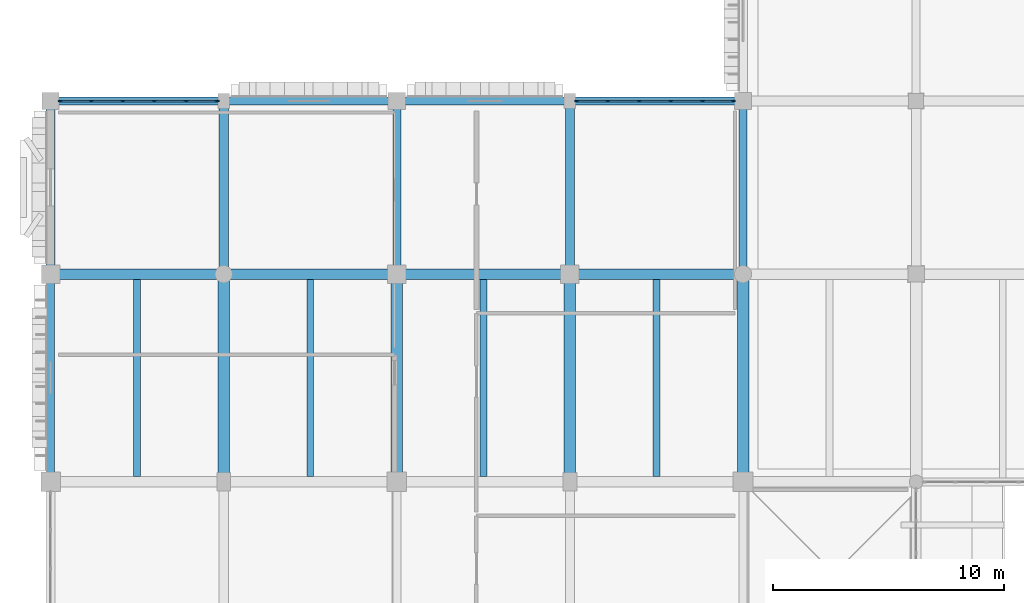
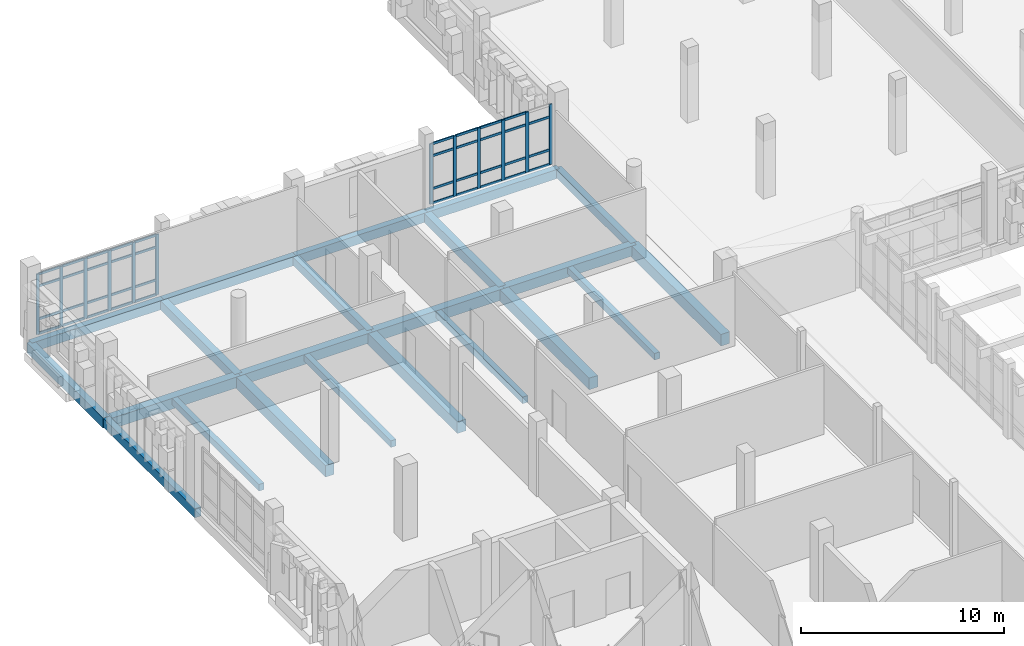
# One storey, part 44 of 128: 51 members, 22 beams, 2 elements without a shape of their own.
"""IFC4 building model written with IfcOpenShell, lengths in metres."""

from ifc_helpers import new_model, si_unit, direction, frame, origin, origin_2d, place, context, subcontext, project, spatial, rectangle, extrude, material, layer, layer_set, material_profile, profile_set, type_object, element, aggregate, save


model = new_model("IFC4")

# Units and contexts
model_context = context("Model", 3, precision=1e-05, world=origin(), true_north=direction((0.0, 1.0)))
body_context = subcontext(model_context, "Body", "Model", "MODEL_VIEW")
ifc_project = project(units=[si_unit("LENGTHUNIT", "METRE"), si_unit("AREAUNIT", "SQUARE_METRE"), si_unit("VOLUMEUNIT", "CUBIC_METRE"), si_unit("PLANEANGLEUNIT", "RADIAN"), si_unit("MASSUNIT", "GRAM", prefix="KILO")], contexts=[model_context])

# Site, building, storey
site_placement = place(None, origin())
site = spatial("IfcSite", under=ifc_project, at=site_placement, CompositionType="ELEMENT")
building_placement = place(site_placement, origin())
building = spatial("IfcBuilding", under=site, at=building_placement, Name="Dalvernix Boulevard General Hospital", CompositionType="ELEMENT")
storey_placement = place(building_placement, frame((0.0, 0.0, 4.800048828125)))
storey = spatial("IfcBuildingStorey", under=building, at=storey_placement, Name="L01", CompositionType="ELEMENT", Elevation=4.800048828125)

# Beams
ifc_material_1 = material(Name="Concrete C35/45", Category="concrete")
ifc_material_profile_1 = material_profile(ifc_material_1, rectangle(XDim=0.5, YDim=0.699951171875, at=origin_2d()), Name="RCB 500x700")
ifc_profile_set_1 = profile_set([ifc_material_profile_1], Name="Concrete C35/45")
beam_type_1 = type_object("IfcBeamType", Name="BM-B-01-I", PredefinedType="BEAM", material=ifc_profile_set_1)
for number, where, z_axis, x_axis, name in (
    (1, (7.5, 76.5, -0.650146484375), (0.0, 1.0, 0.0), (-1.0, 0.0, 0.0), "L01 N-S girder 2:L-M"),
    (2, (15.0, 76.5, -0.650146484375), (0.0, 1.0, 0.0), (-1.0, 0.0, 0.0), "L01 N-S girder 3:L-M"),
    (3, (22.5, 76.5, -0.650146484375), (0.0, 1.0, 0.0), (-1.0, 0.0, 0.0), "L01 N-S girder 4:L-M"),
    (4, (30.0, 76.5, -0.650146484375), (0.0, 1.0, 0.0), (-1.0, 0.0, 0.0), "L01 N-S girder 5:L-M"),
):
    element("IfcBeam", number, at=place(storey_placement, frame(where, z_axis=z_axis, x_axis=x_axis)), inside=storey, type_object=beam_type_1, Name=name, PredefinedType="BEAM", context=body_context, shape_type="SweptSolid", body=[
        extrude(rectangle(XDim=0.5, YDim=0.699951171875, at=origin_2d()), origin(), (0.0, 0.0, 1.0), 9.0),
    ])
ifc_material_profile_2 = material_profile(ifc_material_1, rectangle(XDim=0.449951171875, YDim=0.64990234375, at=origin_2d()), Name="RCB 450x650")
ifc_profile_set_2 = profile_set([ifc_material_profile_2], Name="Concrete C35/45")
beam_type_2 = type_object("IfcBeamType", Name="BM-B-03-I", PredefinedType="BEAM", material=ifc_profile_set_2)
for number, where, z_axis, x_axis, name in (
    (5, (0.0, 85.5, -0.625), (1.0, 0.0, 0.0), (0.0, 1.0, 0.0), "L01 E-W girder M:1-2"),
    (6, (15.0, 85.5, -0.625), (1.0, 0.0, 0.0), (0.0, 1.0, 0.0), "L01 E-W girder M:3-4"),
):
    element("IfcBeam", number, at=place(storey_placement, frame(where, z_axis=z_axis, x_axis=x_axis)), inside=storey, type_object=beam_type_2, Name=name, PredefinedType="BEAM", context=body_context, shape_type="SweptSolid", body=[
        extrude(rectangle(XDim=0.449951171875, YDim=0.64990234375, at=origin_2d()), origin(), (0.0, 0.0, 1.0), 7.5),
    ])
ifc_material_profile_3 = material_profile(ifc_material_1, rectangle(XDim=0.449951171875, YDim=0.60009765625, at=origin_2d()), Name="RCB 450x600")
ifc_profile_set_3 = profile_set([ifc_material_profile_3], Name="Concrete C35/45")
beam_type_3 = type_object("IfcBeamType", Name="BM-B-04-I", PredefinedType="BEAM", material=ifc_profile_set_3)
for number, where, z_axis, x_axis, name in (
    (7, (7.5, 85.5, -0.60009765625), (1.0, 0.0, 0.0), (0.0, 1.0, 0.0), "L01 E-W girder M:2-3"),
    (8, (22.5, 85.5, -0.60009765625), (1.0, 0.0, 0.0), (0.0, 1.0, 0.0), "L01 E-W girder M:4-5"),
):
    element("IfcBeam", number, at=place(storey_placement, frame(where, z_axis=z_axis, x_axis=x_axis)), inside=storey, type_object=beam_type_3, Name=name, PredefinedType="BEAM", context=body_context, shape_type="SweptSolid", body=[
        extrude(rectangle(XDim=0.449951171875, YDim=0.60009765625, at=origin_2d()), origin(), (0.0, 0.0, 1.0), 7.5),
    ])
ifc_material_profile_4 = material_profile(ifc_material_1, rectangle(XDim=0.39990234375, YDim=0.550048828125, at=origin_2d()), Name="RCB 400x550")
ifc_profile_set_4 = profile_set([ifc_material_profile_4], Name="Concrete C35/45")
beam_type_4 = type_object("IfcBeamType", Name="BM-B-06-I", PredefinedType="BEAM", material=ifc_profile_set_4)
for number, where, z_axis, x_axis, name in (
    (9, (7.5, 85.5, -0.574951171875), (0.0, 1.0, 0.0), (-1.0, 0.0, 0.0), "L01 N-S girder 2:M-N"),
    (10, (22.5, 85.5, -0.574951171875), (0.0, 1.0, 0.0), (-1.0, 0.0, 0.0), "L01 N-S girder 4:M-N"),
):
    element("IfcBeam", number, at=place(storey_placement, frame(where, z_axis=z_axis, x_axis=x_axis)), inside=storey, type_object=beam_type_4, Name=name, PredefinedType="BEAM", context=body_context, shape_type="SweptSolid", body=[
        extrude(rectangle(XDim=0.39990234375, YDim=0.550048828125, at=origin_2d()), origin(), (0.0, 0.0, 1.0), 7.5),
    ])
ifc_material_profile_5 = material_profile(ifc_material_1, rectangle(XDim=0.35009765625, YDim=0.5, at=origin_2d()), Name="RCB 350x500")
ifc_profile_set_5 = profile_set([ifc_material_profile_5], Name="Concrete C35/45")
beam_type_5 = type_object("IfcBeamType", Name="BM-B-08-I", PredefinedType="BEAM", material=ifc_profile_set_5)
for number, where, z_axis, x_axis, name in (
    (11, (15.0, 85.5, -0.550048828125), (0.0, 1.0, 0.0), (-1.0, 0.0, 0.0), "L01 N-S girder 3:M-N"),
    (12, (30.0, 85.5, -0.550048828125), (0.0, 1.0, 0.0), (-1.0, 0.0, 0.0), "L01 N-S girder 5:M-N"),
):
    element("IfcBeam", number, at=place(storey_placement, frame(where, z_axis=z_axis, x_axis=x_axis)), inside=storey, type_object=beam_type_5, Name=name, PredefinedType="BEAM", context=body_context, shape_type="SweptSolid", body=[
        extrude(rectangle(XDim=0.35009765625, YDim=0.5, at=origin_2d()), origin(), (0.0, 0.0, 1.0), 7.5),
    ])
ifc_material_profile_6 = material_profile(ifc_material_1, rectangle(XDim=0.300048828125, YDim=0.39990234375, at=origin_2d()), Name="RCB 300x400")
ifc_profile_set_6 = profile_set([ifc_material_profile_6], Name="Concrete C35/45")
beam_type_6 = type_object("IfcBeamType", Name="BM-JB-01", PredefinedType="JOIST", material=ifc_profile_set_6)
for number, where, z_axis, x_axis, name in (
    (13, (3.75, 76.72509765625, -0.5), (0.0, 1.0, 0.0), (-1.0, 0.0, 0.0), "L01 secondary floor beam 1-L"),
    (14, (11.25, 76.72509765625, -0.5), (0.0, 1.0, 0.0), (-1.0, 0.0, 0.0), "L01 secondary floor beam 2-L"),
    (15, (18.75, 76.72509765625, -0.5), (0.0, 1.0, 0.0), (-1.0, 0.0, 0.0), "L01 secondary floor beam 3-L"),
    (16, (26.25, 76.72509765625, -0.5), (0.0, 1.0, 0.0), (-1.0, 0.0, 0.0), "L01 secondary floor beam 4-L"),
):
    element("IfcBeam", number, at=place(storey_placement, frame(where, z_axis=z_axis, x_axis=x_axis)), inside=storey, type_object=beam_type_6, Name=name, PredefinedType="JOIST", context=body_context, shape_type="SweptSolid", body=[
        extrude(rectangle(XDim=0.300048828125, YDim=0.39990234375, at=origin_2d()), origin(), (0.0, 0.0, 1.0), 8.5498046875),
    ])
ifc_material_profile_7 = material_profile(ifc_material_1, rectangle(XDim=0.35009765625, YDim=0.550048828125, at=origin_2d()), Name="RCB 350x550")
ifc_profile_set_7 = profile_set([ifc_material_profile_7], Name="Concrete C35/45")
beam_type_7 = type_object("IfcBeamType", Name="BM-SB-01-E", PredefinedType="SPANDREL", material=ifc_profile_set_7)
for number, where, z_axis, x_axis, name in (
    (17, (0.0, 93.0, -0.574951171875), (1.0, 0.0, 0.0), (0.0, 1.0, 0.0), "L01 E-W girder N:1-2"),
    (18, (7.5, 93.0, -0.574951171875), (1.0, 0.0, 0.0), (0.0, 1.0, 0.0), "L01 E-W girder N:2-3"),
    (19, (15.0, 93.0, -0.574951171875), (1.0, 0.0, 0.0), (0.0, 1.0, 0.0), "L01 E-W girder N:3-4"),
    (20, (22.5, 93.0, -0.574951171875), (1.0, 0.0, 0.0), (0.0, 1.0, 0.0), "L01 E-W girder N:4-5"),
):
    element("IfcBeam", number, at=place(storey_placement, frame(where, z_axis=z_axis, x_axis=x_axis)), inside=storey, type_object=beam_type_7, Name=name, PredefinedType="SPANDREL", context=body_context, shape_type="SweptSolid", body=[
        extrude(rectangle(XDim=0.35009765625, YDim=0.550048828125, at=origin_2d()), origin(), (0.0, 0.0, 1.0), 7.5),
    ])
beam_1_placement = place(storey_placement, frame((0.0, 76.5, -0.574951171875), z_axis=(0.0, 1.0, 0.0), x_axis=(-1.0, 0.0, 0.0)))
element("IfcBeam", 21, at=beam_1_placement, inside=storey, type_object=beam_type_7, Name="L01 N-S girder 1:L-M", PredefinedType="SPANDREL", context=body_context, shape_type="SweptSolid", body=[
    extrude(rectangle(XDim=0.35009765625, YDim=0.550048828125, at=origin_2d()), origin(), (0.0, 0.0, 1.0), 9.0),
])
ifc_material_profile_8 = material_profile(ifc_material_1, rectangle(XDim=0.39990234375, YDim=0.60009765625, at=origin_2d()), Name="RCB 400x600")
ifc_profile_set_8 = profile_set([ifc_material_profile_8], Name="Concrete C35/45")
beam_type_8 = type_object("IfcBeamType", Name="BM-SB-02-E", PredefinedType="SPANDREL", material=ifc_profile_set_8)
beam_2_placement = place(storey_placement, frame((0.0, 85.5, -0.60009765625), z_axis=(0.0, 1.0, 0.0), x_axis=(-1.0, 0.0, 0.0)))
element("IfcBeam", 22, at=beam_2_placement, inside=storey, type_object=beam_type_8, Name="L01 N-S girder 1:M-N", PredefinedType="SPANDREL", context=body_context, shape_type="SweptSolid", body=[
    extrude(rectangle(XDim=0.39990234375, YDim=0.60009765625, at=origin_2d()), origin(), (0.0, 0.0, 1.0), 7.5),
])

# Curtain wall, members
ifc_material_2 = material(Name="Thermally broken aluminium and solar-control glass curtain wall", Category="aluminium")
ifc_layer = layer(ifc_material_2, 0.179931640625)
ifc_layer_set = layer_set([ifc_layer], Name="Thermally broken aluminium and solar-control glass curtain wall (CW-CW-B-69x36)")
curtain_wall_type = type_object("IfcCurtainWallType", Name="CW-CW-B-69x36", PredefinedType="USERDEFINED", material=ifc_layer_set)
curtain_wall_1_placement = place(storey_placement, origin())
curtain_wall_1 = element("IfcCurtainWall", 23, at=curtain_wall_1_placement, inside=storey, type_object=curtain_wall_type, Name="L01 curtain wall CW-B-69x36 0-12", ObjectType="GLAZED FACADE", PredefinedType="USERDEFINED")
ifc_material_3 = material(Name="Aluminium EN AW-6060", Category="aluminium")
ifc_material_profile_9 = material_profile(ifc_material_3, rectangle(XDim=0.06494140625, YDim=0.179931640625, at=origin_2d()), Name="ALU MULL 65x180")
ifc_profile_set_9 = profile_set([ifc_material_profile_9], Name="Aluminium EN AW-6060")
member_type_1 = type_object("IfcMemberType", Name="MEM-CW-M2", PredefinedType="MULLION", material=ifc_profile_set_9)
member_1_placement = place(storey_placement, frame((0.41748046875, 93.0, 0.0), z_axis=(0.0, 0.0, 1.0), x_axis=(0.0, 1.0, 0.0)))
member_1 = element("IfcMember", 24, at=member_1_placement, type_object=member_type_1, Name="CW-B-69x36 mullion 1", PredefinedType="MULLION", context=body_context, shape_type="SweptSolid", body=[
    extrude(rectangle(XDim=0.06494140625, YDim=0.179931640625, at=origin_2d()), origin(), (0.0, 0.0, 1.0), 3.6298828125),
])
member_2_placement = place(storey_placement, frame((1.756103515625, 93.0, 0.0), z_axis=(0.0, 0.0, 1.0), x_axis=(0.0, 1.0, 0.0)))
member_2 = element("IfcMember", 25, at=member_2_placement, type_object=member_type_1, Name="CW-B-69x36 mullion 2", PredefinedType="MULLION", context=body_context, shape_type="SweptSolid", body=[
    extrude(rectangle(XDim=0.06494140625, YDim=0.179931640625, at=origin_2d()), origin(), (0.0, 0.0, 1.0), 3.6298828125),
])
member_3_placement = place(storey_placement, frame((3.126953125, 93.0, 0.0), z_axis=(0.0, 0.0, 1.0), x_axis=(0.0, 1.0, 0.0)))
member_3 = element("IfcMember", 26, at=member_3_placement, type_object=member_type_1, Name="CW-B-69x36 mullion 3", PredefinedType="MULLION", context=body_context, shape_type="SweptSolid", body=[
    extrude(rectangle(XDim=0.06494140625, YDim=0.179931640625, at=origin_2d()), origin(), (0.0, 0.0, 1.0), 3.6298828125),
])
member_4_placement = place(storey_placement, frame((4.498046875, 93.0, 0.0), z_axis=(0.0, 0.0, 1.0), x_axis=(0.0, 1.0, 0.0)))
member_4 = element("IfcMember", 27, at=member_4_placement, type_object=member_type_1, Name="CW-B-69x36 mullion 4", PredefinedType="MULLION", context=body_context, shape_type="SweptSolid", body=[
    extrude(rectangle(XDim=0.06494140625, YDim=0.179931640625, at=origin_2d()), origin(), (0.0, 0.0, 1.0), 3.6298828125),
])
member_5_placement = place(storey_placement, frame((5.868896484375, 93.0, 0.0), z_axis=(0.0, 0.0, 1.0), x_axis=(0.0, 1.0, 0.0)))
member_5 = element("IfcMember", 28, at=member_5_placement, type_object=member_type_1, Name="CW-B-69x36 mullion 5", PredefinedType="MULLION", context=body_context, shape_type="SweptSolid", body=[
    extrude(rectangle(XDim=0.06494140625, YDim=0.179931640625, at=origin_2d()), origin(), (0.0, 0.0, 1.0), 3.6298828125),
])
member_6_placement = place(storey_placement, frame((7.20751953125, 93.0, 0.0), z_axis=(0.0, 0.0, 1.0), x_axis=(0.0, 1.0, 0.0)))
member_6 = element("IfcMember", 29, at=member_6_placement, type_object=member_type_1, Name="CW-B-69x36 mullion 6", PredefinedType="MULLION", context=body_context, shape_type="SweptSolid", body=[
    extrude(rectangle(XDim=0.06494140625, YDim=0.179931640625, at=origin_2d()), origin(), (0.0, 0.0, 1.0), 3.6298828125),
])

curtain_wall_2_placement = place(storey_placement, origin())
curtain_wall_2 = element("IfcCurtainWall", 30, at=curtain_wall_2_placement, inside=storey, type_object=curtain_wall_type, Name="L01 curtain wall CW-B-69x36 3-12", ObjectType="GLAZED FACADE", PredefinedType="USERDEFINED")
member_7_placement = place(storey_placement, frame((22.79248046875, 93.0, 0.0), z_axis=(0.0, 0.0, 1.0), x_axis=(0.0, 1.0, 0.0)))
member_7 = element("IfcMember", 31, at=member_7_placement, type_object=member_type_1, Name="CW-B-69x36 mullion 1", PredefinedType="MULLION", context=body_context, shape_type="SweptSolid", body=[
    extrude(rectangle(XDim=0.06494140625, YDim=0.179931640625, at=origin_2d()), origin(), (0.0, 0.0, 1.0), 3.6298828125),
])
member_8_placement = place(storey_placement, frame((24.131103515625, 93.0, 0.0), z_axis=(0.0, 0.0, 1.0), x_axis=(0.0, 1.0, 0.0)))
member_8 = element("IfcMember", 32, at=member_8_placement, type_object=member_type_1, Name="CW-B-69x36 mullion 2", PredefinedType="MULLION", context=body_context, shape_type="SweptSolid", body=[
    extrude(rectangle(XDim=0.06494140625, YDim=0.179931640625, at=origin_2d()), origin(), (0.0, 0.0, 1.0), 3.6298828125),
])
member_9_placement = place(storey_placement, frame((25.501953125, 93.0, 0.0), z_axis=(0.0, 0.0, 1.0), x_axis=(0.0, 1.0, 0.0)))
member_9 = element("IfcMember", 33, at=member_9_placement, type_object=member_type_1, Name="CW-B-69x36 mullion 3", PredefinedType="MULLION", context=body_context, shape_type="SweptSolid", body=[
    extrude(rectangle(XDim=0.06494140625, YDim=0.179931640625, at=origin_2d()), origin(), (0.0, 0.0, 1.0), 3.6298828125),
])
member_10_placement = place(storey_placement, frame((26.873046875, 93.0, 0.0), z_axis=(0.0, 0.0, 1.0), x_axis=(0.0, 1.0, 0.0)))
member_10 = element("IfcMember", 34, at=member_10_placement, type_object=member_type_1, Name="CW-B-69x36 mullion 4", PredefinedType="MULLION", context=body_context, shape_type="SweptSolid", body=[
    extrude(rectangle(XDim=0.06494140625, YDim=0.179931640625, at=origin_2d()), origin(), (0.0, 0.0, 1.0), 3.6298828125),
])
member_11_placement = place(storey_placement, frame((28.243896484375, 93.0, 0.0), z_axis=(0.0, 0.0, 1.0), x_axis=(0.0, 1.0, 0.0)))
member_11 = element("IfcMember", 35, at=member_11_placement, type_object=member_type_1, Name="CW-B-69x36 mullion 5", PredefinedType="MULLION", context=body_context, shape_type="SweptSolid", body=[
    extrude(rectangle(XDim=0.06494140625, YDim=0.179931640625, at=origin_2d()), origin(), (0.0, 0.0, 1.0), 3.6298828125),
])
member_12_placement = place(storey_placement, frame((29.58251953125, 93.0, 0.0), z_axis=(0.0, 0.0, 1.0), x_axis=(0.0, 1.0, 0.0)))
member_12 = element("IfcMember", 36, at=member_12_placement, type_object=member_type_1, Name="CW-B-69x36 mullion 6", PredefinedType="MULLION", context=body_context, shape_type="SweptSolid", body=[
    extrude(rectangle(XDim=0.06494140625, YDim=0.179931640625, at=origin_2d()), origin(), (0.0, 0.0, 1.0), 3.6298828125),
])

# Member
ifc_material_profile_10 = material_profile(ifc_material_3, rectangle(XDim=0.06494140625, YDim=0.139892578125, at=origin_2d()), Name="ALU TRAN 65x140")
ifc_profile_set_10 = profile_set([ifc_material_profile_10], Name="Aluminium EN AW-6060")
member_type_2 = type_object("IfcMemberType", Name="MEM-CW-T2", PredefinedType="USERDEFINED", material=ifc_profile_set_10)
member_13_placement = place(storey_placement, frame((0.449951171875, 93.0, 0.032470703125), z_axis=(1.0, 0.0, 0.0), x_axis=(0.0, 1.0, 0.0)))
member_13 = element("IfcMember", 37, at=member_13_placement, type_object=member_type_2, Name="CW-B-69x36 transom 1.1", ObjectType="TRANSOM", PredefinedType="USERDEFINED", context=body_context, shape_type="SweptSolid", body=[
    extrude(rectangle(XDim=0.06494140625, YDim=0.139892578125, at=origin_2d()), origin(), (0.0, 0.0, 1.0), 1.2734375),
])

member_14_placement = place(storey_placement, frame((0.449951171875, 93.0, 0.89990234375), z_axis=(1.0, 0.0, 0.0), x_axis=(0.0, 1.0, 0.0)))
member_14 = element("IfcMember", 38, at=member_14_placement, type_object=member_type_2, Name="CW-B-69x36 transom 1.2", ObjectType="TRANSOM", PredefinedType="USERDEFINED", context=body_context, shape_type="SweptSolid", body=[
    extrude(rectangle(XDim=0.06494140625, YDim=0.139892578125, at=origin_2d()), origin(), (0.0, 0.0, 1.0), 1.2734375),
])

member_15_placement = place(storey_placement, frame((0.449951171875, 93.0, 2.8798828125), z_axis=(1.0, 0.0, 0.0), x_axis=(0.0, 1.0, 0.0)))
member_15 = element("IfcMember", 39, at=member_15_placement, type_object=member_type_2, Name="CW-B-69x36 transom 1.3", ObjectType="TRANSOM", PredefinedType="USERDEFINED", context=body_context, shape_type="SweptSolid", body=[
    extrude(rectangle(XDim=0.06494140625, YDim=0.139892578125, at=origin_2d()), origin(), (0.0, 0.0, 1.0), 1.2734375),
])

member_16_placement = place(storey_placement, frame((0.449951171875, 93.0, 3.597412109375), z_axis=(1.0, 0.0, 0.0), x_axis=(0.0, 1.0, 0.0)))
member_16 = element("IfcMember", 40, at=member_16_placement, type_object=member_type_2, Name="CW-B-69x36 transom 1.4", ObjectType="TRANSOM", PredefinedType="USERDEFINED", context=body_context, shape_type="SweptSolid", body=[
    extrude(rectangle(XDim=0.06494140625, YDim=0.139892578125, at=origin_2d()), origin(), (0.0, 0.0, 1.0), 1.2734375),
])

member_17_placement = place(storey_placement, frame((1.78857421875, 93.0, 0.032470703125), z_axis=(1.0, 0.0, 0.0), x_axis=(0.0, 1.0, 0.0)))
member_17 = element("IfcMember", 41, at=member_17_placement, type_object=member_type_2, Name="CW-B-69x36 transom 2.1", ObjectType="TRANSOM", PredefinedType="USERDEFINED", context=body_context, shape_type="SweptSolid", body=[
    extrude(rectangle(XDim=0.06494140625, YDim=0.139892578125, at=origin_2d()), origin(), (0.0, 0.0, 1.0), 1.305908203125),
])

member_18_placement = place(storey_placement, frame((1.78857421875, 93.0, 0.89990234375), z_axis=(1.0, 0.0, 0.0), x_axis=(0.0, 1.0, 0.0)))
member_18 = element("IfcMember", 42, at=member_18_placement, type_object=member_type_2, Name="CW-B-69x36 transom 2.2", ObjectType="TRANSOM", PredefinedType="USERDEFINED", context=body_context, shape_type="SweptSolid", body=[
    extrude(rectangle(XDim=0.06494140625, YDim=0.139892578125, at=origin_2d()), origin(), (0.0, 0.0, 1.0), 1.305908203125),
])

member_19_placement = place(storey_placement, frame((1.78857421875, 93.0, 2.8798828125), z_axis=(1.0, 0.0, 0.0), x_axis=(0.0, 1.0, 0.0)))
member_19 = element("IfcMember", 43, at=member_19_placement, type_object=member_type_2, Name="CW-B-69x36 transom 2.3", ObjectType="TRANSOM", PredefinedType="USERDEFINED", context=body_context, shape_type="SweptSolid", body=[
    extrude(rectangle(XDim=0.06494140625, YDim=0.139892578125, at=origin_2d()), origin(), (0.0, 0.0, 1.0), 1.305908203125),
])

member_20_placement = place(storey_placement, frame((1.78857421875, 93.0, 3.597412109375), z_axis=(1.0, 0.0, 0.0), x_axis=(0.0, 1.0, 0.0)))
member_20 = element("IfcMember", 44, at=member_20_placement, type_object=member_type_2, Name="CW-B-69x36 transom 2.4", ObjectType="TRANSOM", PredefinedType="USERDEFINED", context=body_context, shape_type="SweptSolid", body=[
    extrude(rectangle(XDim=0.06494140625, YDim=0.139892578125, at=origin_2d()), origin(), (0.0, 0.0, 1.0), 1.305908203125),
])

member_21_placement = place(storey_placement, frame((3.159423828125, 93.0, 0.032470703125), z_axis=(1.0, 0.0, 0.0), x_axis=(0.0, 1.0, 0.0)))
member_21 = element("IfcMember", 45, at=member_21_placement, type_object=member_type_2, Name="CW-B-69x36 transom 3.1", ObjectType="TRANSOM", PredefinedType="USERDEFINED", context=body_context, shape_type="SweptSolid", body=[
    extrude(rectangle(XDim=0.06494140625, YDim=0.139892578125, at=origin_2d()), origin(), (0.0, 0.0, 1.0), 1.30615234375),
])

member_22_placement = place(storey_placement, frame((3.159423828125, 93.0, 0.89990234375), z_axis=(1.0, 0.0, 0.0), x_axis=(0.0, 1.0, 0.0)))
member_22 = element("IfcMember", 46, at=member_22_placement, type_object=member_type_2, Name="CW-B-69x36 transom 3.2", ObjectType="TRANSOM", PredefinedType="USERDEFINED", context=body_context, shape_type="SweptSolid", body=[
    extrude(rectangle(XDim=0.06494140625, YDim=0.139892578125, at=origin_2d()), origin(), (0.0, 0.0, 1.0), 1.30615234375),
])

member_23_placement = place(storey_placement, frame((3.159423828125, 93.0, 2.8798828125), z_axis=(1.0, 0.0, 0.0), x_axis=(0.0, 1.0, 0.0)))
member_23 = element("IfcMember", 47, at=member_23_placement, type_object=member_type_2, Name="CW-B-69x36 transom 3.3", ObjectType="TRANSOM", PredefinedType="USERDEFINED", context=body_context, shape_type="SweptSolid", body=[
    extrude(rectangle(XDim=0.06494140625, YDim=0.139892578125, at=origin_2d()), origin(), (0.0, 0.0, 1.0), 1.30615234375),
])

member_24_placement = place(storey_placement, frame((3.159423828125, 93.0, 3.597412109375), z_axis=(1.0, 0.0, 0.0), x_axis=(0.0, 1.0, 0.0)))
member_24 = element("IfcMember", 48, at=member_24_placement, type_object=member_type_2, Name="CW-B-69x36 transom 3.4", ObjectType="TRANSOM", PredefinedType="USERDEFINED", context=body_context, shape_type="SweptSolid", body=[
    extrude(rectangle(XDim=0.06494140625, YDim=0.139892578125, at=origin_2d()), origin(), (0.0, 0.0, 1.0), 1.30615234375),
])

member_25_placement = place(storey_placement, frame((4.530517578125, 93.0, 0.032470703125), z_axis=(1.0, 0.0, 0.0), x_axis=(0.0, 1.0, 0.0)))
member_25 = element("IfcMember", 49, at=member_25_placement, type_object=member_type_2, Name="CW-B-69x36 transom 4.1", ObjectType="TRANSOM", PredefinedType="USERDEFINED", context=body_context, shape_type="SweptSolid", body=[
    extrude(rectangle(XDim=0.06494140625, YDim=0.139892578125, at=origin_2d()), origin(), (0.0, 0.0, 1.0), 1.305908203125),
])

member_26_placement = place(storey_placement, frame((4.530517578125, 93.0, 0.89990234375), z_axis=(1.0, 0.0, 0.0), x_axis=(0.0, 1.0, 0.0)))
member_26 = element("IfcMember", 50, at=member_26_placement, type_object=member_type_2, Name="CW-B-69x36 transom 4.2", ObjectType="TRANSOM", PredefinedType="USERDEFINED", context=body_context, shape_type="SweptSolid", body=[
    extrude(rectangle(XDim=0.06494140625, YDim=0.139892578125, at=origin_2d()), origin(), (0.0, 0.0, 1.0), 1.305908203125),
])

member_27_placement = place(storey_placement, frame((4.530517578125, 93.0, 2.8798828125), z_axis=(1.0, 0.0, 0.0), x_axis=(0.0, 1.0, 0.0)))
member_27 = element("IfcMember", 51, at=member_27_placement, type_object=member_type_2, Name="CW-B-69x36 transom 4.3", ObjectType="TRANSOM", PredefinedType="USERDEFINED", context=body_context, shape_type="SweptSolid", body=[
    extrude(rectangle(XDim=0.06494140625, YDim=0.139892578125, at=origin_2d()), origin(), (0.0, 0.0, 1.0), 1.305908203125),
])

member_28_placement = place(storey_placement, frame((4.530517578125, 93.0, 3.597412109375), z_axis=(1.0, 0.0, 0.0), x_axis=(0.0, 1.0, 0.0)))
member_28 = element("IfcMember", 52, at=member_28_placement, type_object=member_type_2, Name="CW-B-69x36 transom 4.4", ObjectType="TRANSOM", PredefinedType="USERDEFINED", context=body_context, shape_type="SweptSolid", body=[
    extrude(rectangle(XDim=0.06494140625, YDim=0.139892578125, at=origin_2d()), origin(), (0.0, 0.0, 1.0), 1.305908203125),
])

member_29_placement = place(storey_placement, frame((5.901611328125, 93.0, 0.032470703125), z_axis=(1.0, 0.0, 0.0), x_axis=(0.0, 1.0, 0.0)))
member_29 = element("IfcMember", 53, at=member_29_placement, type_object=member_type_2, Name="CW-B-69x36 transom 5.1", ObjectType="TRANSOM", PredefinedType="USERDEFINED", context=body_context, shape_type="SweptSolid", body=[
    extrude(rectangle(XDim=0.06494140625, YDim=0.139892578125, at=origin_2d()), origin(), (0.0, 0.0, 1.0), 1.2734375),
])

member_30_placement = place(storey_placement, frame((5.901611328125, 93.0, 0.89990234375), z_axis=(1.0, 0.0, 0.0), x_axis=(0.0, 1.0, 0.0)))
member_30 = element("IfcMember", 54, at=member_30_placement, type_object=member_type_2, Name="CW-B-69x36 transom 5.2", ObjectType="TRANSOM", PredefinedType="USERDEFINED", context=body_context, shape_type="SweptSolid", body=[
    extrude(rectangle(XDim=0.06494140625, YDim=0.139892578125, at=origin_2d()), origin(), (0.0, 0.0, 1.0), 1.2734375),
])

member_31_placement = place(storey_placement, frame((5.901611328125, 93.0, 2.8798828125), z_axis=(1.0, 0.0, 0.0), x_axis=(0.0, 1.0, 0.0)))
member_31 = element("IfcMember", 55, at=member_31_placement, type_object=member_type_2, Name="CW-B-69x36 transom 5.3", ObjectType="TRANSOM", PredefinedType="USERDEFINED", context=body_context, shape_type="SweptSolid", body=[
    extrude(rectangle(XDim=0.06494140625, YDim=0.139892578125, at=origin_2d()), origin(), (0.0, 0.0, 1.0), 1.2734375),
])

member_32_placement = place(storey_placement, frame((5.901611328125, 93.0, 3.597412109375), z_axis=(1.0, 0.0, 0.0), x_axis=(0.0, 1.0, 0.0)))
member_32 = element("IfcMember", 56, at=member_32_placement, type_object=member_type_2, Name="CW-B-69x36 transom 5.4", ObjectType="TRANSOM", PredefinedType="USERDEFINED", context=body_context, shape_type="SweptSolid", body=[
    extrude(rectangle(XDim=0.06494140625, YDim=0.139892578125, at=origin_2d()), origin(), (0.0, 0.0, 1.0), 1.2734375),
])

aggregate(curtain_wall_1, [member_1, member_2, member_3, member_4, member_5, member_6, member_13, member_14, member_15, member_16, member_17, member_18, member_19, member_20, member_21, member_22, member_23, member_24, member_25, member_26, member_27, member_28, member_29, member_30, member_31, member_32])

member_33_placement = place(storey_placement, frame((22.824951171875, 93.0, 0.032470703125), z_axis=(1.0, 0.0, 0.0), x_axis=(0.0, 1.0, 0.0)))
member_33 = element("IfcMember", 57, at=member_33_placement, type_object=member_type_2, Name="CW-B-69x36 transom 1.1", ObjectType="TRANSOM", PredefinedType="USERDEFINED", context=body_context, shape_type="SweptSolid", body=[
    extrude(rectangle(XDim=0.06494140625, YDim=0.139892578125, at=origin_2d()), origin(), (0.0, 0.0, 1.0), 1.2734375),
])

member_34_placement = place(storey_placement, frame((22.824951171875, 93.0, 0.89990234375), z_axis=(1.0, 0.0, 0.0), x_axis=(0.0, 1.0, 0.0)))
member_34 = element("IfcMember", 58, at=member_34_placement, type_object=member_type_2, Name="CW-B-69x36 transom 1.2", ObjectType="TRANSOM", PredefinedType="USERDEFINED", context=body_context, shape_type="SweptSolid", body=[
    extrude(rectangle(XDim=0.06494140625, YDim=0.139892578125, at=origin_2d()), origin(), (0.0, 0.0, 1.0), 1.2734375),
])

member_35_placement = place(storey_placement, frame((22.824951171875, 93.0, 2.8798828125), z_axis=(1.0, 0.0, 0.0), x_axis=(0.0, 1.0, 0.0)))
member_35 = element("IfcMember", 59, at=member_35_placement, type_object=member_type_2, Name="CW-B-69x36 transom 1.3", ObjectType="TRANSOM", PredefinedType="USERDEFINED", context=body_context, shape_type="SweptSolid", body=[
    extrude(rectangle(XDim=0.06494140625, YDim=0.139892578125, at=origin_2d()), origin(), (0.0, 0.0, 1.0), 1.2734375),
])

member_36_placement = place(storey_placement, frame((22.824951171875, 93.0, 3.597412109375), z_axis=(1.0, 0.0, 0.0), x_axis=(0.0, 1.0, 0.0)))
member_36 = element("IfcMember", 60, at=member_36_placement, type_object=member_type_2, Name="CW-B-69x36 transom 1.4", ObjectType="TRANSOM", PredefinedType="USERDEFINED", context=body_context, shape_type="SweptSolid", body=[
    extrude(rectangle(XDim=0.06494140625, YDim=0.139892578125, at=origin_2d()), origin(), (0.0, 0.0, 1.0), 1.2734375),
])

member_37_placement = place(storey_placement, frame((24.16357421875, 93.0, 0.032470703125), z_axis=(1.0, 0.0, 0.0), x_axis=(0.0, 1.0, 0.0)))
member_37 = element("IfcMember", 61, at=member_37_placement, type_object=member_type_2, Name="CW-B-69x36 transom 2.1", ObjectType="TRANSOM", PredefinedType="USERDEFINED", context=body_context, shape_type="SweptSolid", body=[
    extrude(rectangle(XDim=0.06494140625, YDim=0.139892578125, at=origin_2d()), origin(), (0.0, 0.0, 1.0), 1.305908203125),
])

member_38_placement = place(storey_placement, frame((24.16357421875, 93.0, 0.89990234375), z_axis=(1.0, 0.0, 0.0), x_axis=(0.0, 1.0, 0.0)))
member_38 = element("IfcMember", 62, at=member_38_placement, type_object=member_type_2, Name="CW-B-69x36 transom 2.2", ObjectType="TRANSOM", PredefinedType="USERDEFINED", context=body_context, shape_type="SweptSolid", body=[
    extrude(rectangle(XDim=0.06494140625, YDim=0.139892578125, at=origin_2d()), origin(), (0.0, 0.0, 1.0), 1.305908203125),
])

member_39_placement = place(storey_placement, frame((24.16357421875, 93.0, 2.8798828125), z_axis=(1.0, 0.0, 0.0), x_axis=(0.0, 1.0, 0.0)))
member_39 = element("IfcMember", 63, at=member_39_placement, type_object=member_type_2, Name="CW-B-69x36 transom 2.3", ObjectType="TRANSOM", PredefinedType="USERDEFINED", context=body_context, shape_type="SweptSolid", body=[
    extrude(rectangle(XDim=0.06494140625, YDim=0.139892578125, at=origin_2d()), origin(), (0.0, 0.0, 1.0), 1.305908203125),
])

member_40_placement = place(storey_placement, frame((24.16357421875, 93.0, 3.597412109375), z_axis=(1.0, 0.0, 0.0), x_axis=(0.0, 1.0, 0.0)))
member_40 = element("IfcMember", 64, at=member_40_placement, type_object=member_type_2, Name="CW-B-69x36 transom 2.4", ObjectType="TRANSOM", PredefinedType="USERDEFINED", context=body_context, shape_type="SweptSolid", body=[
    extrude(rectangle(XDim=0.06494140625, YDim=0.139892578125, at=origin_2d()), origin(), (0.0, 0.0, 1.0), 1.305908203125),
])

member_41_placement = place(storey_placement, frame((25.534423828125, 93.0, 0.032470703125), z_axis=(1.0, 0.0, 0.0), x_axis=(0.0, 1.0, 0.0)))
member_41 = element("IfcMember", 65, at=member_41_placement, type_object=member_type_2, Name="CW-B-69x36 transom 3.1", ObjectType="TRANSOM", PredefinedType="USERDEFINED", context=body_context, shape_type="SweptSolid", body=[
    extrude(rectangle(XDim=0.06494140625, YDim=0.139892578125, at=origin_2d()), origin(), (0.0, 0.0, 1.0), 1.30615234375),
])

member_42_placement = place(storey_placement, frame((25.534423828125, 93.0, 0.89990234375), z_axis=(1.0, 0.0, 0.0), x_axis=(0.0, 1.0, 0.0)))
member_42 = element("IfcMember", 66, at=member_42_placement, type_object=member_type_2, Name="CW-B-69x36 transom 3.2", ObjectType="TRANSOM", PredefinedType="USERDEFINED", context=body_context, shape_type="SweptSolid", body=[
    extrude(rectangle(XDim=0.06494140625, YDim=0.139892578125, at=origin_2d()), origin(), (0.0, 0.0, 1.0), 1.30615234375),
])

member_43_placement = place(storey_placement, frame((25.534423828125, 93.0, 2.8798828125), z_axis=(1.0, 0.0, 0.0), x_axis=(0.0, 1.0, 0.0)))
member_43 = element("IfcMember", 67, at=member_43_placement, type_object=member_type_2, Name="CW-B-69x36 transom 3.3", ObjectType="TRANSOM", PredefinedType="USERDEFINED", context=body_context, shape_type="SweptSolid", body=[
    extrude(rectangle(XDim=0.06494140625, YDim=0.139892578125, at=origin_2d()), origin(), (0.0, 0.0, 1.0), 1.30615234375),
])

member_44_placement = place(storey_placement, frame((25.534423828125, 93.0, 3.597412109375), z_axis=(1.0, 0.0, 0.0), x_axis=(0.0, 1.0, 0.0)))
member_44 = element("IfcMember", 68, at=member_44_placement, type_object=member_type_2, Name="CW-B-69x36 transom 3.4", ObjectType="TRANSOM", PredefinedType="USERDEFINED", context=body_context, shape_type="SweptSolid", body=[
    extrude(rectangle(XDim=0.06494140625, YDim=0.139892578125, at=origin_2d()), origin(), (0.0, 0.0, 1.0), 1.30615234375),
])

member_45_placement = place(storey_placement, frame((26.905517578125, 93.0, 0.032470703125), z_axis=(1.0, 0.0, 0.0), x_axis=(0.0, 1.0, 0.0)))
member_45 = element("IfcMember", 69, at=member_45_placement, type_object=member_type_2, Name="CW-B-69x36 transom 4.1", ObjectType="TRANSOM", PredefinedType="USERDEFINED", context=body_context, shape_type="SweptSolid", body=[
    extrude(rectangle(XDim=0.06494140625, YDim=0.139892578125, at=origin_2d()), origin(), (0.0, 0.0, 1.0), 1.305908203125),
])

member_46_placement = place(storey_placement, frame((26.905517578125, 93.0, 0.89990234375), z_axis=(1.0, 0.0, 0.0), x_axis=(0.0, 1.0, 0.0)))
member_46 = element("IfcMember", 70, at=member_46_placement, type_object=member_type_2, Name="CW-B-69x36 transom 4.2", ObjectType="TRANSOM", PredefinedType="USERDEFINED", context=body_context, shape_type="SweptSolid", body=[
    extrude(rectangle(XDim=0.06494140625, YDim=0.139892578125, at=origin_2d()), origin(), (0.0, 0.0, 1.0), 1.305908203125),
])

member_47_placement = place(storey_placement, frame((26.905517578125, 93.0, 2.8798828125), z_axis=(1.0, 0.0, 0.0), x_axis=(0.0, 1.0, 0.0)))
member_47 = element("IfcMember", 71, at=member_47_placement, type_object=member_type_2, Name="CW-B-69x36 transom 4.3", ObjectType="TRANSOM", PredefinedType="USERDEFINED", context=body_context, shape_type="SweptSolid", body=[
    extrude(rectangle(XDim=0.06494140625, YDim=0.139892578125, at=origin_2d()), origin(), (0.0, 0.0, 1.0), 1.305908203125),
])

member_48_placement = place(storey_placement, frame((26.905517578125, 93.0, 3.597412109375), z_axis=(1.0, 0.0, 0.0), x_axis=(0.0, 1.0, 0.0)))
member_48 = element("IfcMember", 72, at=member_48_placement, type_object=member_type_2, Name="CW-B-69x36 transom 4.4", ObjectType="TRANSOM", PredefinedType="USERDEFINED", context=body_context, shape_type="SweptSolid", body=[
    extrude(rectangle(XDim=0.06494140625, YDim=0.139892578125, at=origin_2d()), origin(), (0.0, 0.0, 1.0), 1.305908203125),
])

member_49_placement = place(storey_placement, frame((28.276611328125, 93.0, 0.032470703125), z_axis=(1.0, 0.0, 0.0), x_axis=(0.0, 1.0, 0.0)))
member_49 = element("IfcMember", 73, at=member_49_placement, type_object=member_type_2, Name="CW-B-69x36 transom 5.1", ObjectType="TRANSOM", PredefinedType="USERDEFINED", context=body_context, shape_type="SweptSolid", body=[
    extrude(rectangle(XDim=0.06494140625, YDim=0.139892578125, at=origin_2d()), origin(), (0.0, 0.0, 1.0), 1.2734375),
])

member_50_placement = place(storey_placement, frame((28.276611328125, 93.0, 0.89990234375), z_axis=(1.0, 0.0, 0.0), x_axis=(0.0, 1.0, 0.0)))
member_50 = element("IfcMember", 74, at=member_50_placement, type_object=member_type_2, Name="CW-B-69x36 transom 5.2", ObjectType="TRANSOM", PredefinedType="USERDEFINED", context=body_context, shape_type="SweptSolid", body=[
    extrude(rectangle(XDim=0.06494140625, YDim=0.139892578125, at=origin_2d()), origin(), (0.0, 0.0, 1.0), 1.2734375),
])

member_51_placement = place(storey_placement, frame((28.276611328125, 93.0, 2.8798828125), z_axis=(1.0, 0.0, 0.0), x_axis=(0.0, 1.0, 0.0)))
member_51 = element("IfcMember", 75, at=member_51_placement, type_object=member_type_2, Name="CW-B-69x36 transom 5.3", ObjectType="TRANSOM", PredefinedType="USERDEFINED", context=body_context, shape_type="SweptSolid", body=[
    extrude(rectangle(XDim=0.06494140625, YDim=0.139892578125, at=origin_2d()), origin(), (0.0, 0.0, 1.0), 1.2734375),
])

aggregate(curtain_wall_2, [member_7, member_8, member_9, member_10, member_11, member_12, member_33, member_34, member_35, member_36, member_37, member_38, member_39, member_40, member_41, member_42, member_43, member_44, member_45, member_46, member_47, member_48, member_49, member_50, member_51])

save(model, "model.ifc")
